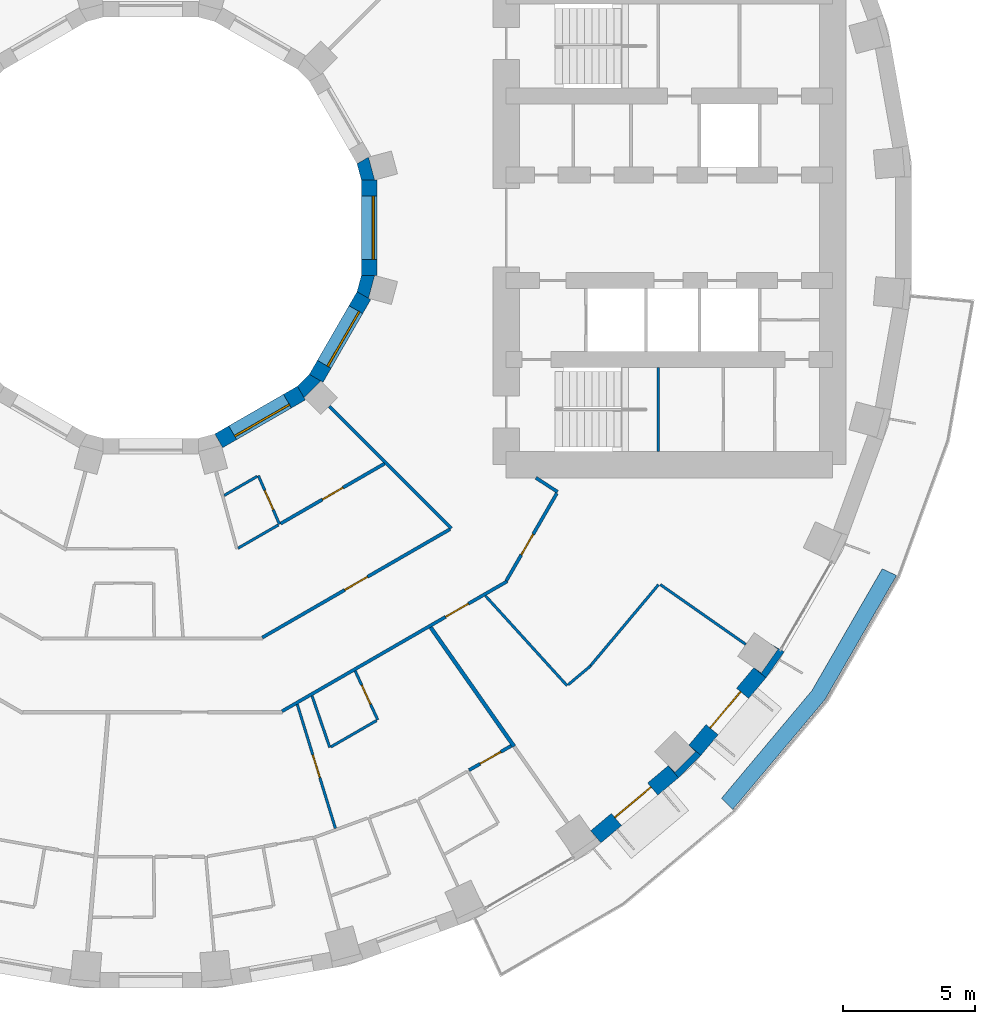
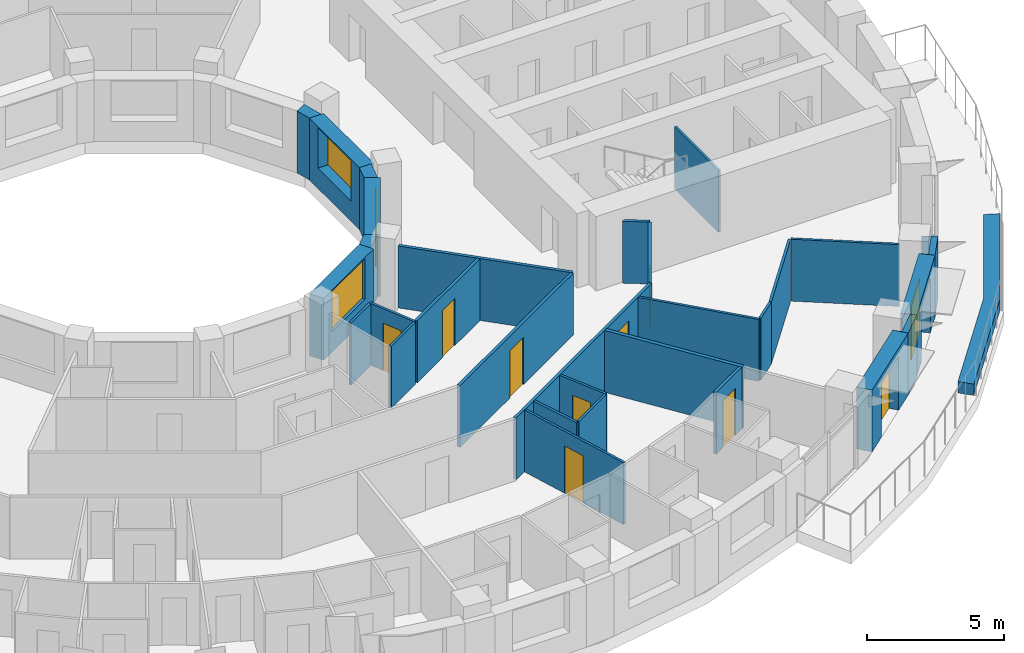
# One storey, part 8 of 15: 31 walls, 10 doors, 3 windows, 13 openings.
"""IFC4 building model written with IfcOpenShell, lengths in metres."""

from ifc_helpers import new_model, si_unit, direction, frame, frame_2d, origin, place, context, subcontext, project, spatial, polyline, rectangle, outline, extrude, material, layer, layer_set, type_object, element, fill, save


model = new_model("IFC4")

# Units and contexts
model_context = context("Model", 3, precision=1e-05, world=origin(), true_north=direction((0.0, 1.0)))
body_context = subcontext(model_context, "Body", "Model", "MODEL_VIEW")
ifc_project = project(units=[si_unit("LENGTHUNIT", "METRE"), si_unit("AREAUNIT", "SQUARE_METRE"), si_unit("VOLUMEUNIT", "CUBIC_METRE"), si_unit("PLANEANGLEUNIT", "RADIAN"), si_unit("MASSUNIT", "GRAM", prefix="KILO")], contexts=[model_context])

# Site, building, storey
site_placement = place(None, origin())
site = spatial("IfcSite", under=ifc_project, at=site_placement, CompositionType="ELEMENT")
building_placement = place(site_placement, origin())
building = spatial("IfcBuilding", under=site, at=building_placement, Name="Saqina Gate Tower", CompositionType="ELEMENT")
storey_placement = place(building_placement, frame((0.0, 0.0, 39.5)))
storey = spatial("IfcBuildingStorey", under=building, at=storey_placement, Name="L10", CompositionType="ELEMENT", Elevation=39.5)

# Walls
ifc_material_1 = material(Name="Brick masonry (red)", Category="masonry")
wall_type_1 = type_object("IfcWallType", Name="BRICK PIER COPING RED", PredefinedType="SOLIDWALL", material=ifc_material_1)
wall_1_placement = place(storey_placement, origin())
element("IfcWall", 1, at=wall_1_placement, inside=storey, type_object=wall_type_1, Name="Pier cap L10 column 32", PredefinedType="SOLIDWALL", context=body_context, shape_type="SweptSolid", body=[
    extrude(outline(polyline([(20.894775390625, -20.04296875), (20.43505859375, -19.6572265625), (20.682861328125, -19.905029296875), (19.905029296875, -20.682861328125), (19.6572265625, -20.43505859375), (20.04296875, -20.894775390625), (20.894775390625, -20.04296875)])), origin(), (0.0, 0.0, 1.0), 2.75),
])
wall_2_placement = place(storey_placement, origin())
element("IfcWall", 2, at=wall_2_placement, inside=storey, type_object=wall_type_1, Name="Pier cap L10 column 33", PredefinedType="SOLIDWALL", context=body_context, shape_type="SweptSolid", body=[
    extrude(outline(polyline([(23.36669921875, -17.096923828125), (24.0576171875, -16.110107421875), (23.5380859375, -15.81005859375), (23.8251953125, -16.010986328125), (23.194091796875, -16.912109375), (22.9072265625, -16.711181640625), (23.36669921875, -17.096923828125)])), origin(), (0.0, 0.0, 1.0), 2.75),
])

# Wall, opening, door
ifc_material_2 = material(Name="Brick masonry (red)", Category="masonry")
ifc_layer_1 = layer(ifc_material_2, 0.60009765625)
ifc_layer_set_1 = layer_set([ifc_layer_1], Name="FW-BRICK-RED")
wall_type_2 = type_object("IfcWallType", Name="FW-BRICK-RED", PredefinedType="SOLIDWALL", material=ifc_layer_set_1)
wall_3_placement = place(storey_placement, frame((16.904052734375, -23.136962890625, 0.0), z_axis=(0.0, 0.0, 1.0), x_axis=(0.766026164483, 0.642809392687, 0.0)))
wall_3 = element("IfcWall", 3, at=wall_3_placement, inside=storey, type_object=wall_type_2, Name="Facade wall L10 facet 31", PredefinedType="SOLIDWALL", context=body_context, shape_type="SweptSolid", body=[
    extrude(rectangle(XDim=3.845947265625, YDim=0.60009765625, at=frame_2d((1.9228515625, 0.0))), origin(), (0.0, 0.0, 1.0), 2.75),
])
opening_1_placement = place(wall_3_placement, frame((1.02294921875, 0.0, 0.0)))
opening_1 = element("IfcOpeningElement", 4, at=opening_1_placement, cuts=wall_3, Name="Opening G02-D80", PredefinedType="OPENING", context=body_context, shape_type="SweptSolid", body=[
    extrude(rectangle(XDim=1.800048828125, YDim=2.39990234375, at=frame_2d((0.89990234375, 1.199951171875))), frame((0.0, 0.31201171875, 0.0), z_axis=(0.0, -1.0, 0.0), x_axis=(1.0, 0.0, 0.0)), (0.0, 0.0, 1.0), 0.6240234375),
])
ifc_material_3 = material(Name="Aluminium glazing", Category="aluminium")
door_type_1 = type_object("IfcDoorType", Name="GD-A", OperationType="DOUBLE_DOOR_SINGLE_SWING", PredefinedType="DOOR", material=ifc_material_3)
door_1_placement = place(opening_1_placement, frame((1.800048828125, 0.0, 0.0), z_axis=(0.0, 0.0, 1.0), x_axis=(-1.0, 0.0, 0.0)))
door_1 = element("IfcDoor", 5, at=door_1_placement, inside=storey, type_object=door_type_1, Name="Terrace door L10 facet 31", OperationType="DOUBLE_DOOR_SINGLE_SWING", OverallHeight=2.39990234375, OverallWidth=1.800048828125, PredefinedType="DOOR", context=body_context, shape_type="SweptSolid", body=[
    extrude(rectangle(XDim=1.800048828125, YDim=2.39990234375, at=frame_2d((0.89990234375, 1.199951171875))), frame((0.0, -0.0751953125, 0.0), z_axis=(0.0, -1.0, 0.0), x_axis=(1.0, 0.0, 0.0)), (0.0, 0.0, 1.0), 0.050048828125),
])
fill(opening_1, door_1)

wall_4_placement = place(storey_placement, frame((20.664794921875, -19.85009765625, 0.0), z_axis=(0.0, 0.0, 1.0), x_axis=(0.642809392687, 0.766026164483, 0.0)))
wall_4 = element("IfcWall", 6, at=wall_4_placement, inside=storey, type_object=wall_type_2, Name="Facade wall L10 facet 32", PredefinedType="SOLIDWALL", context=body_context, shape_type="SweptSolid", body=[
    extrude(rectangle(XDim=3.845947265625, YDim=0.60009765625, at=frame_2d((1.9228515625, 0.0))), origin(), (0.0, 0.0, 1.0), 2.75),
])
opening_2_placement = place(wall_4_placement, frame((1.02294921875, 0.0, 0.0)))
opening_2 = element("IfcOpeningElement", 7, at=opening_2_placement, cuts=wall_4, Name="Opening G02-D81", PredefinedType="OPENING", context=body_context, shape_type="SweptSolid", body=[
    extrude(rectangle(XDim=1.800048828125, YDim=2.39990234375, at=frame_2d((0.89990234375, 1.199951171875))), frame((0.0, 0.31201171875, 0.0), z_axis=(0.0, -1.0, 0.0), x_axis=(1.0, 0.0, 0.0)), (0.0, 0.0, 1.0), 0.6240234375),
])
door_2_placement = place(opening_2_placement, frame((1.800048828125, 0.0, 0.0), z_axis=(0.0, 0.0, 1.0), x_axis=(-1.0, 0.0, 0.0)))
door_2 = element("IfcDoor", 8, at=door_2_placement, inside=storey, type_object=door_type_1, Name="Terrace door L10 facet 32", OperationType="DOUBLE_DOOR_SINGLE_SWING", OverallHeight=2.39990234375, OverallWidth=1.800048828125, PredefinedType="DOOR", context=body_context, shape_type="SweptSolid", body=[
    extrude(rectangle(XDim=1.800048828125, YDim=2.39990234375, at=frame_2d((0.89990234375, 1.199951171875))), frame((0.0, -0.0751953125, 0.0), z_axis=(0.0, -1.0, 0.0), x_axis=(1.0, 0.0, 0.0)), (0.0, 0.0, 1.0), 0.050048828125),
])
fill(opening_2, door_2)

# Wall, opening, window
ifc_material_4 = material(Name="Glazed ceramic tile", Category="ceramic")
ifc_layer_2 = layer(ifc_material_4, 0.60009765625)
ifc_layer_set_2 = layer_set([ifc_layer_2], Name="IW-TILE")
wall_type_3 = type_object("IfcWallType", Name="IW-TILE", PredefinedType="SOLIDWALL", material=ifc_layer_set_2)
wall_5_placement = place(storey_placement, frame((2.580322265625, -8.09423828125, 0.0), z_axis=(0.0, 0.0, 1.0), x_axis=(0.866029693906, 0.499992569217, 0.0)))
wall_5 = element("IfcWall", 9, at=wall_5_placement, inside=storey, type_object=wall_type_3, Name="Well wall L10 facet 10", PredefinedType="SOLIDWALL", context=body_context, shape_type="SweptSolid", body=[
    extrude(rectangle(XDim=3.625, YDim=0.60009765625, at=frame_2d((1.8125, 0.0))), origin(), (0.0, 0.0, 1.0), 2.75),
])
opening_3_placement = place(wall_5_placement, frame((0.612548828125, 0.0, 0.89990234375)))
opening_3 = element("IfcOpeningElement", 10, at=opening_3_placement, cuts=wall_5, Name="Opening G02-W32", PredefinedType="OPENING", context=body_context, shape_type="SweptSolid", body=[
    extrude(rectangle(XDim=2.39990234375, YDim=1.800048828125, at=frame_2d((1.199951171875, 0.89990234375))), frame((0.0, 0.31201171875, 0.0), z_axis=(0.0, -1.0, 0.0), x_axis=(1.0, 0.0, 0.0)), (0.0, 0.0, 1.0), 0.6240234375),
])
ifc_material_5 = material(Name="Aluminium glazing", Category="aluminium")
window_type = type_object("IfcWindowType", Name="WN-W", PartitioningType="SINGLE_PANEL", PredefinedType="WINDOW", material=ifc_material_5)
window_1_placement = place(opening_3_placement, origin())
window_1 = element("IfcWindow", 11, at=window_1_placement, inside=storey, type_object=window_type, Name="Well window L10 facet 10", OverallHeight=1.800048828125, OverallWidth=2.39990234375, PartitioningType="SINGLE_PANEL", PredefinedType="WINDOW", context=body_context, shape_type="SweptSolid", body=[
    extrude(rectangle(XDim=2.39990234375, YDim=1.800048828125, at=frame_2d((1.199951171875, 0.89990234375))), frame((0.0, -0.119873046875, 0.0), z_axis=(0.0, -1.0, 0.0), x_axis=(1.0, 0.0, 0.0)), (0.0, 0.0, 1.0), 0.06005859375),
])
fill(opening_3, window_1)

wall_6_placement = place(storey_placement, frame((6.28173828125, -5.7197265625, 0.0), z_axis=(0.0, 0.0, 1.0), x_axis=(0.499992569217, 0.866029693906, 0.0)))
wall_6 = element("IfcWall", 12, at=wall_6_placement, inside=storey, type_object=wall_type_3, Name="Well wall L10 facet 11", PredefinedType="SOLIDWALL", context=body_context, shape_type="SweptSolid", body=[
    extrude(rectangle(XDim=3.625, YDim=0.60009765625, at=frame_2d((1.8125, 0.0))), origin(), (0.0, 0.0, 1.0), 2.75),
])
opening_4_placement = place(wall_6_placement, frame((0.612548828125, 0.0, 0.89990234375)))
opening_4 = element("IfcOpeningElement", 13, at=opening_4_placement, cuts=wall_6, Name="Opening G02-W33", PredefinedType="OPENING", context=body_context, shape_type="SweptSolid", body=[
    extrude(rectangle(XDim=2.39990234375, YDim=1.800048828125, at=frame_2d((1.199951171875, 0.89990234375))), frame((0.0, 0.31201171875, 0.0), z_axis=(0.0, -1.0, 0.0), x_axis=(1.0, 0.0, 0.0)), (0.0, 0.0, 1.0), 0.6240234375),
])
window_2_placement = place(opening_4_placement, origin())
window_2 = element("IfcWindow", 14, at=window_2_placement, inside=storey, type_object=window_type, Name="Well window L10 facet 11", OverallHeight=1.800048828125, OverallWidth=2.39990234375, PartitioningType="SINGLE_PANEL", PredefinedType="WINDOW", context=body_context, shape_type="SweptSolid", body=[
    extrude(rectangle(XDim=2.39990234375, YDim=1.800048828125, at=frame_2d((1.199951171875, 0.89990234375))), frame((0.0, -0.119873046875, 0.0), z_axis=(0.0, -1.0, 0.0), x_axis=(1.0, 0.0, 0.0)), (0.0, 0.0, 1.0), 0.06005859375),
])
fill(opening_4, window_2)

wall_7_placement = place(storey_placement, frame((8.300048828125, -1.8125, 0.0), z_axis=(0.0, 0.0, 1.0), x_axis=(0.0, 1.0, 0.0)))
wall_7 = element("IfcWall", 15, at=wall_7_placement, inside=storey, type_object=wall_type_3, Name="Well wall L10 facet 12", PredefinedType="SOLIDWALL", context=body_context, shape_type="SweptSolid", body=[
    extrude(rectangle(XDim=3.625, YDim=0.60009765625, at=frame_2d((1.8125, 0.0))), origin(), (0.0, 0.0, 1.0), 2.75),
])
opening_5_placement = place(wall_7_placement, frame((0.612548828125, 0.0, 0.89990234375)))
opening_5 = element("IfcOpeningElement", 16, at=opening_5_placement, cuts=wall_7, Name="Opening G02-W34", PredefinedType="OPENING", context=body_context, shape_type="SweptSolid", body=[
    extrude(rectangle(XDim=2.39990234375, YDim=1.800048828125, at=frame_2d((1.199951171875, 0.89990234375))), frame((0.0, 0.31201171875, 0.0), z_axis=(0.0, -1.0, 0.0), x_axis=(1.0, 0.0, 0.0)), (0.0, 0.0, 1.0), 0.6240234375),
])
window_3_placement = place(opening_5_placement, origin())
window_3 = element("IfcWindow", 17, at=window_3_placement, inside=storey, type_object=window_type, Name="Well window L10 facet 12", OverallHeight=1.800048828125, OverallWidth=2.39990234375, PartitioningType="SINGLE_PANEL", PredefinedType="WINDOW", context=body_context, shape_type="SweptSolid", body=[
    extrude(rectangle(XDim=2.39990234375, YDim=1.800048828125, at=frame_2d((1.199951171875, 0.89990234375))), frame((0.0, -0.119873046875, 0.0), z_axis=(0.0, -1.0, 0.0), x_axis=(1.0, 0.0, 0.0)), (0.0, 0.0, 1.0), 0.06005859375),
])
fill(opening_5, window_3)

# Wall, opening, door
ifc_material_6 = material(Name="Gypsum board on steel studs, 100 mm", Category="steel")
ifc_layer_3 = layer(ifc_material_6, 0.10009765625)
ifc_layer_set_3 = layer_set([ifc_layer_3], Name="PARTITION 100")
wall_type_4 = type_object("IfcWallType", Name="PARTITION 100", PredefinedType="PARTITIONING", material=ifc_layer_set_3)
wall_8_placement = place(storey_placement, frame((5.5634765625, -18.104736328125, 0.0), z_axis=(0.0, 0.0, 1.0), x_axis=(0.293856171107, -0.955849648586, 0.0)))
wall_8 = element("IfcWall", 18, at=wall_8_placement, inside=storey, type_object=wall_type_4, Name="PARTITION PW3-16", PredefinedType="PARTITIONING", context=body_context, shape_type="SweptSolid", body=[
    extrude(rectangle(XDim=4.93017578125, YDim=0.10009765625, at=frame_2d((2.465087890625, 0.0))), origin(), (0.0, 0.0, 1.0), 2.75),
])
opening_6_placement = place(wall_8_placement, frame((2.0087890625, 0.0, 0.0)))
opening_6 = element("IfcOpeningElement", 19, at=opening_6_placement, cuts=wall_8, Name="Opening G02-D57", PredefinedType="OPENING", context=body_context, shape_type="SweptSolid", body=[
    extrude(rectangle(XDim=0.89990234375, YDim=2.10009765625, at=frame_2d((0.449951171875, 1.050048828125))), frame((0.0, 0.06201171875, 0.0), z_axis=(0.0, -1.0, 0.0), x_axis=(1.0, 0.0, 0.0)), (0.0, 0.0, 1.0), 0.1240234375),
])
ifc_material_7 = material(Name="Timber door leaf, 900 mm", Category="wood")
door_type_2 = type_object("IfcDoorType", Name="DOOR 900 TIMBER", OperationType="SINGLE_SWING_LEFT", PredefinedType="DOOR", material=ifc_material_7)
door_3_placement = place(opening_6_placement, frame((0.89990234375, 0.0, 0.0), z_axis=(0.0, 0.0, 1.0), x_axis=(-1.0, 0.0, 0.0)))
door_3 = element("IfcDoor", 20, at=door_3_placement, inside=storey, type_object=door_type_2, Name="DOOR G02-D57", OperationType="SINGLE_SWING_RIGHT", OverallHeight=2.10009765625, OverallWidth=0.89990234375, PredefinedType="DOOR", context=body_context, shape_type="SweptSolid", body=[
    extrude(rectangle(XDim=0.89990234375, YDim=2.10009765625, at=frame_2d((0.449951171875, 1.050048828125))), frame((0.0, 0.02490234375, 0.0), z_axis=(0.0, -1.0, 0.0), x_axis=(1.0, 0.0, 0.0)), (0.0, 0.0, 1.0), 0.050048828125),
])
fill(opening_6, door_3)

# Wall
wall_9_placement = place(storey_placement, frame((6.123291015625, -17.781982421875, 0.0), z_axis=(0.0, 0.0, 1.0), x_axis=(0.325345833464, -0.945595097622, 0.0)))
element("IfcWall", 21, at=wall_9_placement, inside=storey, type_object=wall_type_4, Name="PARTITION PW3-17", PredefinedType="PARTITIONING", context=body_context, shape_type="SweptSolid", body=[
    extrude(rectangle(XDim=2.0771484375, YDim=0.10009765625, at=frame_2d((1.03857421875, 0.0))), origin(), (0.0, 0.0, 1.0), 2.75),
])

# Wall, opening, door
wall_10_placement = place(storey_placement, frame((4.0859375, -9.4189453125, 0.0), z_axis=(0.0, 0.0, 1.0), x_axis=(0.39850887435, -0.917164476561, 0.0)))
wall_10 = element("IfcWall", 22, at=wall_10_placement, inside=storey, type_object=wall_type_4, Name="PARTITION PW3-20", PredefinedType="PARTITIONING", context=body_context, shape_type="SweptSolid", body=[
    extrude(rectangle(XDim=2.013671875, YDim=0.10009765625, at=frame_2d((1.0068359375, 0.0))), origin(), (0.0, 0.0, 1.0), 2.75),
])
opening_7_placement = place(wall_10_placement, frame((0.606201171875, 0.0, 0.0)))
opening_7 = element("IfcOpeningElement", 23, at=opening_7_placement, cuts=wall_10, Name="Opening G02-D60", PredefinedType="OPENING", context=body_context, shape_type="SweptSolid", body=[
    extrude(rectangle(XDim=0.800048828125, YDim=2.10009765625, at=frame_2d((0.39990234375, 1.050048828125))), frame((0.0, 0.06201171875, 0.0), z_axis=(0.0, -1.0, 0.0), x_axis=(1.0, 0.0, 0.0)), (0.0, 0.0, 1.0), 0.1240234375),
])
ifc_material_8 = material(Name="Timber door leaf, 800 mm", Category="wood")
door_type_3 = type_object("IfcDoorType", Name="DOOR 800 TIMBER", OperationType="SINGLE_SWING_LEFT", PredefinedType="DOOR", material=ifc_material_8)
door_4_placement = place(opening_7_placement, origin())
door_4 = element("IfcDoor", 24, at=door_4_placement, inside=storey, type_object=door_type_3, Name="DOOR G02-D60", OperationType="SINGLE_SWING_RIGHT", OverallHeight=2.10009765625, OverallWidth=0.800048828125, PredefinedType="DOOR", context=body_context, shape_type="SweptSolid", body=[
    extrude(rectangle(XDim=0.800048828125, YDim=2.10009765625, at=frame_2d((0.39990234375, 1.050048828125))), frame((0.0, 0.02490234375, 0.0), z_axis=(0.0, -1.0, 0.0), x_axis=(1.0, 0.0, 0.0)), (0.0, 0.0, 1.0), 0.050048828125),
])
fill(opening_7, door_4)

wall_11_placement = place(storey_placement, frame((7.76318359375, -16.836669921875, 0.0), z_axis=(0.0, 0.0, 1.0), x_axis=(0.418740408402, -0.908105979702, 0.0)))
wall_11 = element("IfcWall", 25, at=wall_11_placement, inside=storey, type_object=wall_type_4, Name="PARTITION PW3-21", PredefinedType="PARTITIONING", context=body_context, shape_type="SweptSolid", body=[
    extrude(rectangle(XDim=2.04638671875, YDim=0.10009765625, at=frame_2d((1.023193359375, 0.0))), origin(), (0.0, 0.0, 1.0), 2.75),
])
opening_8_placement = place(wall_11_placement, frame((0.591796875, 0.0, 0.0)))
opening_8 = element("IfcOpeningElement", 26, at=opening_8_placement, cuts=wall_11, Name="Opening G02-D61", PredefinedType="OPENING", context=body_context, shape_type="SweptSolid", body=[
    extrude(rectangle(XDim=0.800048828125, YDim=2.10009765625, at=frame_2d((0.39990234375, 1.050048828125))), frame((0.0, 0.06201171875, 0.0), z_axis=(0.0, -1.0, 0.0), x_axis=(1.0, 0.0, 0.0)), (0.0, 0.0, 1.0), 0.1240234375),
])
door_5_placement = place(opening_8_placement, origin())
door_5 = element("IfcDoor", 27, at=door_5_placement, inside=storey, type_object=door_type_3, Name="DOOR G02-D61", OperationType="SINGLE_SWING_LEFT", OverallHeight=2.10009765625, OverallWidth=0.800048828125, PredefinedType="DOOR", context=body_context, shape_type="SweptSolid", body=[
    extrude(rectangle(XDim=0.800048828125, YDim=2.10009765625, at=frame_2d((0.39990234375, 1.050048828125))), frame((0.0, 0.02490234375, 0.0), z_axis=(0.0, -1.0, 0.0), x_axis=(1.0, 0.0, 0.0)), (0.0, 0.0, 1.0), 0.050048828125),
])
fill(opening_8, door_5)

# Walls
wall_12_placement = place(storey_placement, frame((12.7080078125, -13.980224609375, 0.0), z_axis=(0.0, 0.0, 1.0), x_axis=(0.672630660637, -0.739978374259, 0.0)))
element("IfcWall", 28, at=wall_12_placement, inside=storey, type_object=wall_type_4, Name="PARTITION PW3-34", PredefinedType="PARTITIONING", context=body_context, shape_type="SweptSolid", body=[
    extrude(rectangle(XDim=4.61474609375, YDim=0.10009765625, at=frame_2d((2.307373046875, 0.0))), origin(), (0.0, 0.0, 1.0), 2.75),
])
wall_13_placement = place(storey_placement, frame((19.354736328125, -13.555419921875, 0.0), z_axis=(0.0, 0.0, 1.0), x_axis=(0.819211647212, -0.573491305141, 0.0)))
element("IfcWall", 29, at=wall_13_placement, inside=storey, type_object=wall_type_4, Name="PARTITION PW3-39", PredefinedType="PARTITIONING", context=body_context, shape_type="SweptSolid", body=[
    extrude(rectangle(XDim=3.96044921875, YDim=0.10009765625, at=frame_2d((1.980224609375, 0.0))), origin(), (0.0, 0.0, 1.0), 2.75),
])
wall_14_placement = place(storey_placement, frame((6.84228515625, -19.720947265625, 0.0), z_axis=(0.0, 0.0, 1.0), x_axis=(0.866104386261, 0.499863173377, 0.0)))
element("IfcWall", 30, at=wall_14_placement, inside=storey, type_object=wall_type_4, Name="PARTITION PW3-77", PredefinedType="PARTITIONING", context=body_context, shape_type="SweptSolid", body=[
    extrude(rectangle(XDim=2.00244140625, YDim=0.10009765625, at=frame_2d((1.001220703125, 0.0))), origin(), (0.0, 0.0, 1.0), 2.75),
])
wall_15_placement = place(storey_placement, frame((3.31396484375, -12.174072265625, 0.0), z_axis=(0.0, 0.0, 1.0), x_axis=(0.866185586049, 0.49972245349, 0.0)))
element("IfcWall", 31, at=wall_15_placement, inside=storey, type_object=wall_type_4, Name="PARTITION PW3-78", PredefinedType="PARTITIONING", context=body_context, shape_type="SweptSolid", body=[
    extrude(rectangle(XDim=1.76611328125, YDim=0.10009765625, at=frame_2d((0.883056640625, 0.0))), origin(), (0.0, 0.0, 1.0), 2.75),
])
wall_16_placement = place(storey_placement, frame((2.787109375, -10.168701171875, 0.0), z_axis=(0.0, 0.0, 1.0), x_axis=(0.86612109418, 0.499834222735, 0.0)))
element("IfcWall", 32, at=wall_16_placement, inside=storey, type_object=wall_type_4, Name="PARTITION PW3-79", PredefinedType="PARTITIONING", context=body_context, shape_type="SweptSolid", body=[
    extrude(rectangle(XDim=1.44970703125, YDim=0.10009765625, at=frame_2d((0.724853515625, 0.0))), origin(), (0.0, 0.0, 1.0), 2.75),
])
wall_17_placement = place(storey_placement, frame((15.850341796875, -17.36279296875, 0.0), z_axis=(0.0, 0.0, 1.0), x_axis=(0.766277754486, 0.642509457502, 0.0)))
element("IfcWall", 33, at=wall_17_placement, inside=storey, type_object=wall_type_4, Name="PARTITION PW3-84", PredefinedType="PARTITIONING", context=body_context, shape_type="SweptSolid", body=[
    extrude(rectangle(XDim=1.124267578125, YDim=0.10009765625, at=frame_2d((0.56201171875, 0.0))), origin(), (0.0, 0.0, 1.0), 2.75),
])
wall_18_placement = place(storey_placement, frame((16.705078125, -16.634765625, 0.0), z_axis=(0.0, 0.0, 1.0), x_axis=(0.642869335103, 0.765975859923, 0.0)))
element("IfcWall", 34, at=wall_18_placement, inside=storey, type_object=wall_type_4, Name="PARTITION PW3-92", PredefinedType="PARTITIONING", context=body_context, shape_type="SweptSolid", body=[
    extrude(rectangle(XDim=4.010009765625, YDim=0.10009765625, at=frame_2d((2.0048828125, 0.0))), origin(), (0.0, 0.0, 1.0), 2.75),
])
ifc_material_9 = material(Name="Gypsum board on steel studs, 125 mm, fire rated", Category="steel")
ifc_layer_4 = layer(ifc_material_9, 0.125)
ifc_layer_set_4 = layer_set([ifc_layer_4], Name="PARTITION EI 30 125")
wall_type_5 = type_object("IfcWallType", Name="PARTITION EI 30 125", PredefinedType="PARTITIONING", material=ifc_layer_set_4)
wall_19_placement = place(storey_placement, frame((6.78271484375, -6.78271484375, 0.0), z_axis=(0.0, 0.0, 1.0), x_axis=(0.707106781187, -0.707106781187, 0.0)))
element("IfcWall", 35, at=wall_19_placement, inside=storey, type_object=wall_type_5, Name="PARTITION PW1-10", PredefinedType="PARTITIONING", context=body_context, shape_type="SweptSolid", body=[
    extrude(rectangle(XDim=6.55810546875, YDim=0.125, at=frame_2d((3.279052734375, 0.0))), origin(), (0.0, 0.0, 1.0), 2.75),
])
wall_20_placement = place(storey_placement, frame((14.62890625, -9.5, 0.0), z_axis=(0.0, 0.0, 1.0), x_axis=(0.838755766808, -0.544507817801, 0.0)))
element("IfcWall", 36, at=wall_20_placement, inside=storey, type_object=wall_type_5, Name="PARTITION PW1-14", PredefinedType="PARTITIONING", context=body_context, shape_type="SweptSolid", body=[
    extrude(rectangle(XDim=0.982421875, YDim=0.125, at=frame_2d((0.4912109375, 0.0))), origin(), (0.0, 0.0, 1.0), 2.75),
])

# Wall, opening, door
wall_21_placement = place(storey_placement, frame((12.08837890625, -20.60595703125, 0.0), z_axis=(0.0, 0.0, 1.0), x_axis=(0.866049284889, 0.499958634432, 0.0)))
wall_21 = element("IfcWall", 37, at=wall_21_placement, inside=storey, type_object=wall_type_5, Name="PARTITION PW1-38", PredefinedType="PARTITIONING", context=body_context, shape_type="SweptSolid", body=[
    extrude(rectangle(XDim=1.849365234375, YDim=0.125, at=frame_2d((0.9248046875, 0.0))), origin(), (0.0, 0.0, 1.0), 2.75),
])
opening_9_placement = place(wall_21_placement, frame((0.4873046875, 0.0, 0.0)))
opening_9 = element("IfcOpeningElement", 38, at=opening_9_placement, cuts=wall_21, Name="Opening G02-D64", PredefinedType="OPENING", context=body_context, shape_type="SweptSolid", body=[
    extrude(rectangle(XDim=0.89990234375, YDim=2.10009765625, at=frame_2d((0.449951171875, 1.050048828125))), frame((0.0, 0.074462890625, 0.0), z_axis=(0.0, -1.0, 0.0), x_axis=(1.0, 0.0, 0.0)), (0.0, 0.0, 1.0), 0.14892578125),
])
ifc_material_10 = material(Name="Fire door leaf EI 30, 900 mm")
door_type_4 = type_object("IfcDoorType", Name="DOOR 900 EI 30", OperationType="SINGLE_SWING_LEFT", PredefinedType="DOOR", material=ifc_material_10)
door_6_placement = place(opening_9_placement, origin())
door_6 = element("IfcDoor", 39, at=door_6_placement, inside=storey, type_object=door_type_4, Name="DOOR G02-D64", OperationType="SINGLE_SWING_RIGHT", OverallHeight=2.10009765625, OverallWidth=0.89990234375, PredefinedType="DOOR", context=body_context, shape_type="SweptSolid", body=[
    extrude(rectangle(XDim=0.89990234375, YDim=2.10009765625, at=frame_2d((0.449951171875, 1.050048828125))), frame((0.0, 0.02490234375, 0.0), z_axis=(0.0, -1.0, 0.0), x_axis=(1.0, 0.0, 0.0)), (0.0, 0.0, 1.0), 0.050048828125),
])
fill(opening_9, door_6)

wall_22_placement = place(storey_placement, frame((4.984130859375, -18.36865234375, 0.0), z_axis=(0.0, 0.0, 1.0), x_axis=(0.86605048973, 0.49995654735, 0.0)))
wall_22 = element("IfcWall", 40, at=wall_22_placement, inside=storey, type_object=wall_type_5, Name="PARTITION PW1-39", PredefinedType="PARTITIONING", context=body_context, shape_type="SweptSolid", body=[
    extrude(rectangle(XDim=9.87060546875, YDim=0.125, at=frame_2d((4.935302734375, 0.0))), origin(), (0.0, 0.0, 1.0), 2.75),
])
opening_10_placement = place(wall_22_placement, frame((7.173828125, 0.0, 0.0)))
opening_10 = element("IfcOpeningElement", 41, at=opening_10_placement, cuts=wall_22, Name="Opening G02-D66", PredefinedType="OPENING", context=body_context, shape_type="SweptSolid", body=[
    extrude(rectangle(XDim=1.0, YDim=2.10009765625, at=frame_2d((0.5, 1.050048828125))), frame((0.0, 0.074462890625, 0.0), z_axis=(0.0, -1.0, 0.0), x_axis=(1.0, 0.0, 0.0)), (0.0, 0.0, 1.0), 0.14892578125),
])
ifc_material_11 = material(Name="Fire door leaf EI 30, 1000 mm")
door_type_5 = type_object("IfcDoorType", Name="DOOR 1000 EI 30", OperationType="SINGLE_SWING_LEFT", PredefinedType="DOOR", material=ifc_material_11)
door_7_placement = place(opening_10_placement, frame((1.0, 0.0, 0.0), z_axis=(0.0, 0.0, 1.0), x_axis=(-1.0, 0.0, 0.0)))
door_7 = element("IfcDoor", 42, at=door_7_placement, inside=storey, type_object=door_type_5, Name="DOOR G02-D66", OperationType="SINGLE_SWING_RIGHT", OverallHeight=2.10009765625, OverallWidth=1.0, PredefinedType="DOOR", context=body_context, shape_type="SweptSolid", body=[
    extrude(rectangle(XDim=1.0, YDim=2.10009765625, at=frame_2d((0.5, 1.050048828125))), frame((0.0, 0.02490234375, 0.0), z_axis=(0.0, -1.0, 0.0), x_axis=(1.0, 0.0, 0.0)), (0.0, 0.0, 1.0), 0.050048828125),
])
fill(opening_10, door_7)

wall_23_placement = place(storey_placement, frame((4.234130859375, -15.56884765625, 0.0), z_axis=(0.0, 0.0, 1.0), x_axis=(0.866028570666, 0.499994514761, 0.0)))
wall_23 = element("IfcWall", 43, at=wall_23_placement, inside=storey, type_object=wall_type_5, Name="PARTITION PW1-40", PredefinedType="PARTITIONING", context=body_context, shape_type="SweptSolid", body=[
    extrude(rectangle(XDim=8.23388671875, YDim=0.125, at=frame_2d((4.116943359375, 0.0))), origin(), (0.0, 0.0, 1.0), 2.75),
])
opening_11_placement = place(wall_23_placement, frame((3.61669921875, 0.0, 0.0)))
opening_11 = element("IfcOpeningElement", 44, at=opening_11_placement, cuts=wall_23, Name="Opening G02-D63", PredefinedType="OPENING", context=body_context, shape_type="SweptSolid", body=[
    extrude(rectangle(XDim=1.0, YDim=2.10009765625, at=frame_2d((0.5, 1.050048828125))), frame((0.0, 0.074462890625, 0.0), z_axis=(0.0, -1.0, 0.0), x_axis=(1.0, 0.0, 0.0)), (0.0, 0.0, 1.0), 0.14892578125),
])
door_8_placement = place(opening_11_placement, origin())
door_8 = element("IfcDoor", 45, at=door_8_placement, inside=storey, type_object=door_type_5, Name="DOOR G02-D63", OperationType="SINGLE_SWING_LEFT", OverallHeight=2.10009765625, OverallWidth=1.0, PredefinedType="DOOR", context=body_context, shape_type="SweptSolid", body=[
    extrude(rectangle(XDim=1.0, YDim=2.10009765625, at=frame_2d((0.5, 1.050048828125))), frame((0.0, 0.02490234375, 0.0), z_axis=(0.0, -1.0, 0.0), x_axis=(1.0, 0.0, 0.0)), (0.0, 0.0, 1.0), 0.050048828125),
])
fill(opening_11, door_8)

wall_24_placement = place(storey_placement, frame((4.932373046875, -11.239501953125, 0.0), z_axis=(0.0, 0.0, 1.0), x_axis=(0.866031166731, 0.499990018151, 0.0)))
wall_24 = element("IfcWall", 46, at=wall_24_placement, inside=storey, type_object=wall_type_5, Name="PARTITION PW1-41", PredefinedType="PARTITIONING", context=body_context, shape_type="SweptSolid", body=[
    extrude(rectangle(XDim=4.5546875, YDim=0.125, at=frame_2d((2.27734375, 0.0))), origin(), (0.0, 0.0, 1.0), 2.75),
])
opening_12_placement = place(wall_24_placement, frame((1.833740234375, 0.0, 0.0)))
opening_12 = element("IfcOpeningElement", 47, at=opening_12_placement, cuts=wall_24, Name="Opening G02-D65", PredefinedType="OPENING", context=body_context, shape_type="SweptSolid", body=[
    extrude(rectangle(XDim=0.89990234375, YDim=2.10009765625, at=frame_2d((0.449951171875, 1.050048828125))), frame((0.0, 0.074462890625, 0.0), z_axis=(0.0, -1.0, 0.0), x_axis=(1.0, 0.0, 0.0)), (0.0, 0.0, 1.0), 0.14892578125),
])
door_9_placement = place(opening_12_placement, frame((0.89990234375, 0.0, 0.0), z_axis=(0.0, 0.0, 1.0), x_axis=(-1.0, 0.0, 0.0)))
door_9 = element("IfcDoor", 48, at=door_9_placement, inside=storey, type_object=door_type_4, Name="DOOR G02-D65", OperationType="SINGLE_SWING_LEFT", OverallHeight=2.10009765625, OverallWidth=0.89990234375, PredefinedType="DOOR", context=body_context, shape_type="SweptSolid", body=[
    extrude(rectangle(XDim=0.89990234375, YDim=2.10009765625, at=frame_2d((0.449951171875, 1.050048828125))), frame((0.0, 0.02490234375, 0.0), z_axis=(0.0, -1.0, 0.0), x_axis=(1.0, 0.0, 0.0)), (0.0, 0.0, 1.0), 0.050048828125),
])
fill(opening_12, door_9)

wall_25_placement = place(storey_placement, frame((13.501220703125, -13.415771484375, 0.0), z_axis=(0.0, 0.0, 1.0), x_axis=(0.499953532967, 0.866052229876, 0.0)))
wall_25 = element("IfcWall", 49, at=wall_25_placement, inside=storey, type_object=wall_type_5, Name="PARTITION PW1-48", PredefinedType="PARTITIONING", context=body_context, shape_type="SweptSolid", body=[
    extrude(rectangle(XDim=3.841064453125, YDim=0.125, at=frame_2d((1.92041015625, 0.0))), origin(), (0.0, 0.0, 1.0), 2.75),
])
opening_13_placement = place(wall_25_placement, frame((1.146728515625, 0.0, 0.0)))
opening_13 = element("IfcOpeningElement", 50, at=opening_13_placement, cuts=wall_25, Name="Opening G02-D67", PredefinedType="OPENING", context=body_context, shape_type="SweptSolid", body=[
    extrude(rectangle(XDim=0.89990234375, YDim=2.10009765625, at=frame_2d((0.449951171875, 1.050048828125))), frame((0.0, 0.074462890625, 0.0), z_axis=(0.0, -1.0, 0.0), x_axis=(1.0, 0.0, 0.0)), (0.0, 0.0, 1.0), 0.14892578125),
])
door_10_placement = place(opening_13_placement, frame((0.89990234375, 0.0, 0.0), z_axis=(0.0, 0.0, 1.0), x_axis=(-1.0, 0.0, 0.0)))
door_10 = element("IfcDoor", 51, at=door_10_placement, inside=storey, type_object=door_type_4, Name="DOOR G02-D67", OperationType="SINGLE_SWING_RIGHT", OverallHeight=2.10009765625, OverallWidth=0.89990234375, PredefinedType="DOOR", context=body_context, shape_type="SweptSolid", body=[
    extrude(rectangle(XDim=0.89990234375, YDim=2.10009765625, at=frame_2d((0.449951171875, 1.050048828125))), frame((0.0, 0.02490234375, 0.0), z_axis=(0.0, -1.0, 0.0), x_axis=(1.0, 0.0, 0.0)), (0.0, 0.0, 1.0), 0.050048828125),
])
fill(opening_13, door_10)

# Walls
ifc_material_12 = material(Name="Gypsum board on steel studs, 150 mm, fire rated", Category="steel")
ifc_layer_5 = layer(ifc_material_12, 0.14990234375)
ifc_layer_set_5 = layer_set([ifc_layer_5], Name="PARTITION EI 60 150")
wall_type_6 = type_object("IfcWallType", Name="PARTITION EI 60 150", PredefinedType="PARTITIONING", material=ifc_layer_set_5)
wall_26_placement = place(storey_placement, frame((10.6298828125, -15.181396484375, 0.0), z_axis=(0.0, 0.0, 1.0), x_axis=(0.573951755358, -0.818889114912, 0.0)))
element("IfcWall", 52, at=wall_26_placement, inside=storey, type_object=wall_type_6, Name="PARTITION PW2-02", PredefinedType="PARTITIONING", context=body_context, shape_type="SweptSolid", body=[
    extrude(rectangle(XDim=5.52294921875, YDim=0.14990234375, at=frame_2d((2.761474609375, 0.0))), origin(), (0.0, 0.0, 1.0), 2.75),
])
ifc_material_13 = material(Name="Brick masonry (red)", Category="masonry")
ifc_layer_6 = layer(ifc_material_13, 0.60009765625)
ifc_layer_set_6 = layer_set([ifc_layer_6], Name="PL-PLANTER")
wall_type_7 = type_object("IfcWallType", Name="PL-PLANTER", PredefinedType="PARAPET", material=ifc_layer_set_6)
wall_27_placement = place(storey_placement, origin())
element("IfcWall", 53, at=wall_27_placement, inside=storey, type_object=wall_type_7, Name="Planter L10", PredefinedType="PARAPET", context=body_context, shape_type="SweptSolid", body=[
    extrude(outline(polyline([(22.103271484375, -22.103271484375), (25.60546875, -17.92919921875), (28.329833984375, -13.21044921875), (27.783935546875, -12.955810546875), (25.1123046875, -17.583740234375), (21.67724609375, -21.67724609375), (22.103271484375, -22.103271484375)])), origin(), (0.0, 0.0, 1.0), 0.5),
])
ifc_material_14 = material(Name="Autoclaved aerated concrete block", Category="concrete")
ifc_layer_7 = layer(ifc_material_14, 0.10009765625)
ifc_layer_set_7 = layer_set([ifc_layer_7], Name="STAIR ENCLOSURE WALL")
wall_type_8 = type_object("IfcWallType", Name="STAIR ENCLOSURE WALL", PredefinedType="PARTITIONING", material=ifc_layer_set_7)
wall_28_placement = place(storey_placement, frame((19.27001953125, -8.5, 0.0), z_axis=(0.0, 0.0, 1.0), x_axis=(0.0, 1.0, 0.0)))
element("IfcWall", 54, at=wall_28_placement, inside=storey, type_object=wall_type_8, Name="L10-CP-E12", PredefinedType="PARTITIONING", context=body_context, shape_type="SweptSolid", body=[
    extrude(rectangle(XDim=3.199951171875, YDim=0.10009765625, at=frame_2d((1.60009765625, 0.0))), origin(), (0.0, 0.0, 1.0), 2.75),
])
ifc_material_15 = material(Name="Glazed ceramic tile", Category="ceramic")
wall_type_9 = type_object("IfcWallType", Name="TILE PIER COPING", PredefinedType="SOLIDWALL", material=ifc_material_15)
wall_29_placement = place(storey_placement, origin())
element("IfcWall", 55, at=wall_29_placement, inside=storey, type_object=wall_type_9, Name="Well pier cap L10 column 1", PredefinedType="SOLIDWALL", context=body_context, shape_type="SweptSolid", body=[
    extrude(outline(polyline([(8.27001953125, 2.681884765625), (7.83447265625, 2.430419921875), (8.0, 1.8125), (8.502685546875, 1.8125), (8.27001953125, 2.681884765625)])), origin(), (0.0, 0.0, 1.0), 2.75),
])
wall_30_placement = place(storey_placement, origin())
element("IfcWall", 56, at=wall_30_placement, inside=storey, type_object=wall_type_9, Name="Well pier cap L10 column 11", PredefinedType="SOLIDWALL", context=body_context, shape_type="SweptSolid", body=[
    extrude(outline(polyline([(5.821044921875, -6.45751953125), (6.45751953125, -5.821044921875), (6.02197265625, -5.569580078125), (5.569580078125, -6.02197265625), (5.821044921875, -6.45751953125)])), origin(), (0.0, 0.0, 1.0), 2.75),
])
wall_31_placement = place(storey_placement, origin())
element("IfcWall", 57, at=wall_31_placement, inside=storey, type_object=wall_type_9, Name="Well pier cap L10 column 12", PredefinedType="SOLIDWALL", context=body_context, shape_type="SweptSolid", body=[
    extrude(outline(polyline([(8.502685546875, -1.8125), (8.0, -1.8125), (7.83447265625, -2.430419921875), (8.27001953125, -2.681884765625), (8.502685546875, -1.8125)])), origin(), (0.0, 0.0, 1.0), 2.75),
])

save(model, "model.ifc")
